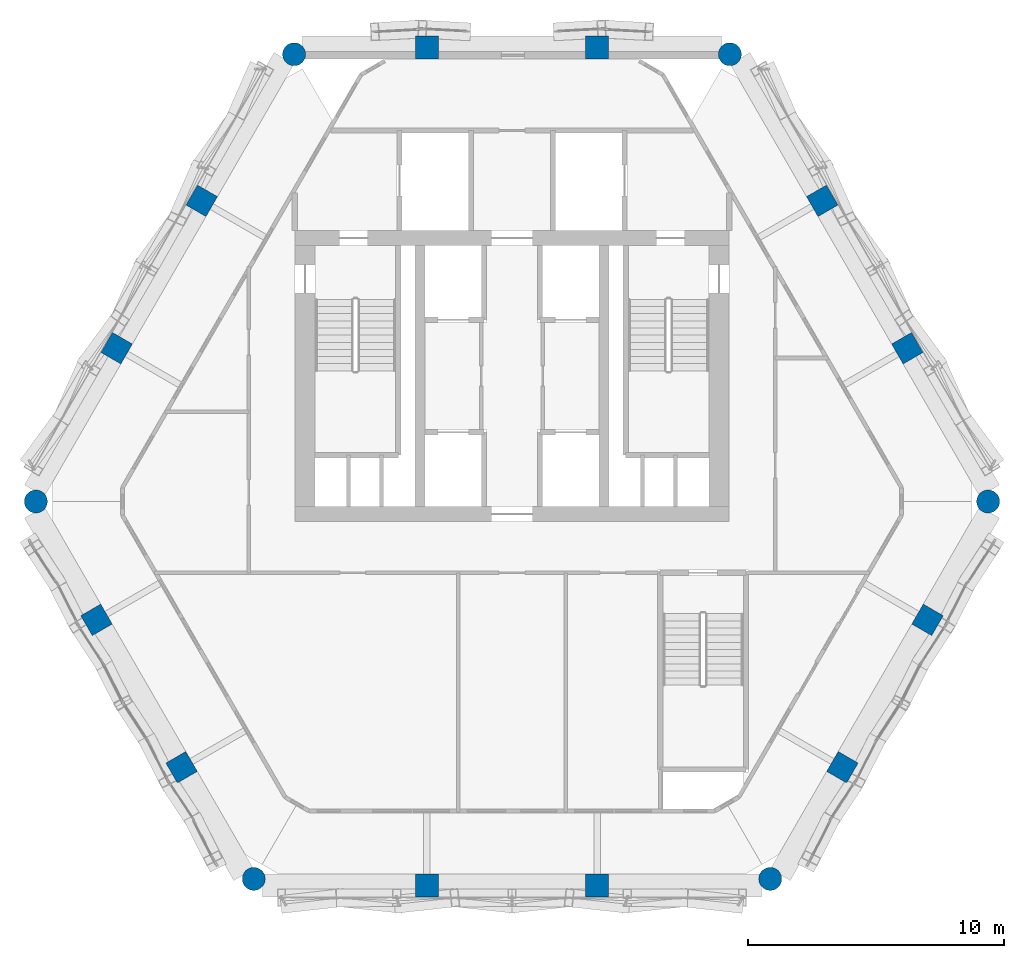
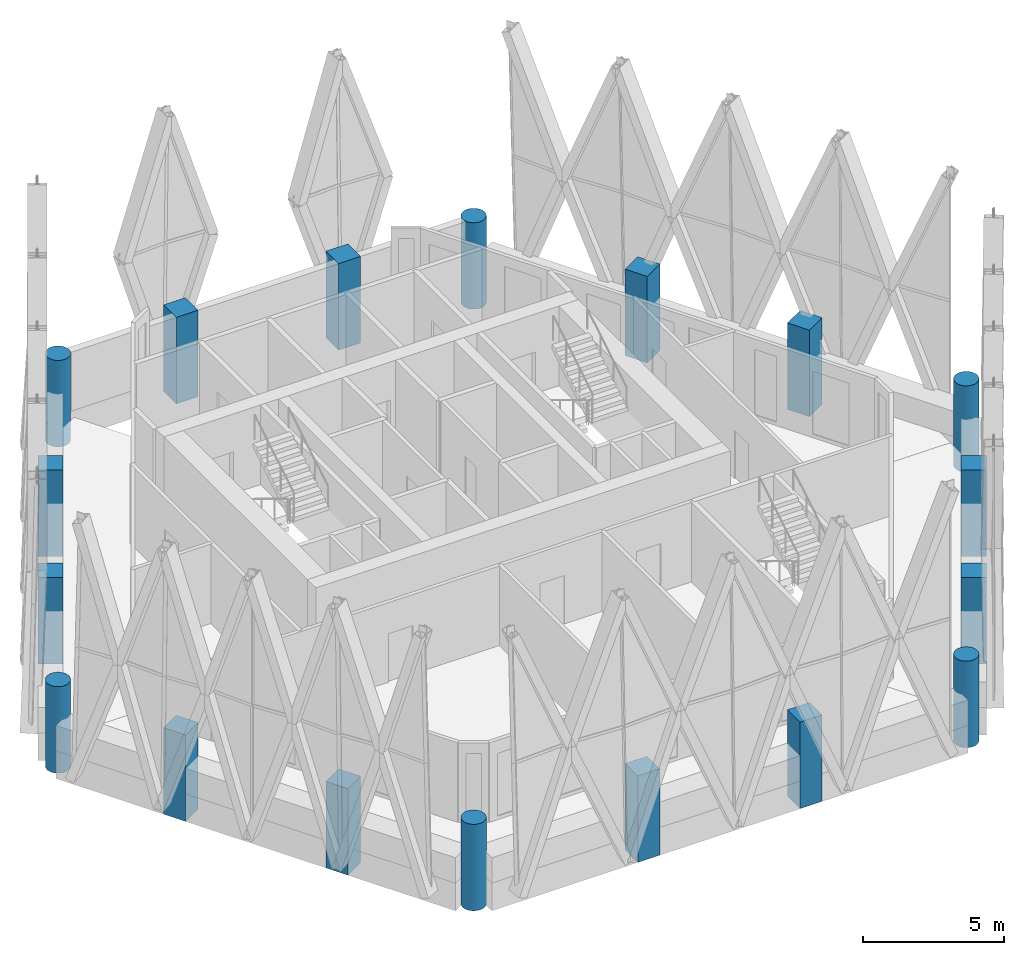
# One storey, part 1 of 21: 18 columns.
"""IFC4 building model written with IfcOpenShell, lengths in metres."""

from ifc_helpers import new_model, si_unit, direction, frame, origin, origin_2d, place, context, subcontext, project, spatial, rectangle, circle, extrude, material, material_profile, profile_set, type_object, element, save


model = new_model("IFC4")

# Units and contexts
model_context = context("Model", 3, precision=1e-05, world=origin(), true_north=direction((0.0, 1.0)))
body_context = subcontext(model_context, "Body", "Model", "MODEL_VIEW")
ifc_project = project(units=[si_unit("LENGTHUNIT", "METRE"), si_unit("AREAUNIT", "SQUARE_METRE"), si_unit("VOLUMEUNIT", "CUBIC_METRE"), si_unit("PLANEANGLEUNIT", "RADIAN"), si_unit("MASSUNIT", "GRAM", prefix="KILO")], contexts=[model_context])

# Site, building, storey
site_placement = place(None, origin())
site = spatial("IfcSite", under=ifc_project, at=site_placement, CompositionType="ELEMENT")
building_placement = place(site_placement, origin())
building = spatial("IfcBuilding", under=site, at=building_placement, Name="Ostrander Bayou Hotel Tower", CompositionType="ELEMENT")
storey_placement = place(building_placement, frame((0.0, 0.0, 256.25)))
storey = spatial("IfcBuildingStorey", under=building, at=storey_placement, Name="L63", CompositionType="ELEMENT", Elevation=256.25)

# Columns
ifc_material_1 = material(Name="Concrete f'c 60 MPa", Category="concrete")
ifc_material_profile_1 = material_profile(ifc_material_1, circle(Radius=0.449951171875, at=origin_2d()))
ifc_profile_set_1 = profile_set([ifc_material_profile_1], Name="Concrete f'c 60 MPa")
column_type_1 = type_object("IfcColumnType", Name="C7 round column 900 mm f'c 60 MPa", PredefinedType="COLUMN", material=ifc_profile_set_1)
for number, where, z_axis, x_axis, name in (
    (1, (-8.525634765625, 16.588623046875, -1.199951171875), (0.0, 0.0, 1.0), (1.0, 0.0, 0.0), "C7 L63 K0"),
    (2, (-18.629150390625, -0.910888671875, -1.199951171875), (0.0, 0.0, 1.0), (1.0, 0.0, 0.0), "C7 L63 K1"),
    (3, (-10.103515625, -15.677734375, -1.199951171875), (0.0, 0.0, 1.0), (1.0, 0.0, 0.0), "C7 L63 K2"),
    (4, (10.103515625, -15.677734375, -1.199951171875), (0.0, 0.0, 1.0), (1.0, 0.0, 0.0), "C7 L63 K3"),
    (5, (18.629150390625, -0.910888671875, -1.199951171875), (0.0, 0.0, 1.0), (1.0, 0.0, 0.0), "C7 L63 K4"),
    (6, (8.525634765625, 16.588623046875, -1.199951171875), (0.0, 0.0, 1.0), (1.0, 0.0, 0.0), "C7 L63 K5"),
):
    element("IfcColumn", number, at=place(storey_placement, frame(where, z_axis=z_axis, x_axis=x_axis)), inside=storey, type_object=column_type_1, Name=name, PredefinedType="COLUMN", context=body_context, shape_type="SweptSolid", body=[
        extrude(circle(Radius=0.449951171875, at=origin_2d()), origin(), (0.0, 0.0, 1.0), 3.75),
    ])
ifc_material_2 = material(Name="Concrete f'c 60 MPa", Category="concrete")
ifc_material_profile_2 = material_profile(ifc_material_2, rectangle(XDim=0.89990234375, YDim=0.89990234375, at=origin_2d()))
ifc_profile_set_2 = profile_set([ifc_material_profile_2], Name="Concrete f'c 60 MPa")
column_type_2 = type_object("IfcColumnType", Name="C8 square column 900 x 900 mm f'c 60 MPa", PredefinedType="COLUMN", material=ifc_profile_set_2)
for number, where, z_axis, x_axis, name in (
    (7, (3.329345703125, 16.85009765625, -1.199951171875), (0.0, 0.0, 1.0), (1.0, 0.0, 0.0), "C8 L63 N1"),
    (8, (-3.329345703125, 16.85009765625, -1.199951171875), (0.0, 0.0, 1.0), (1.0, 0.0, 0.0), "C8 L63 N2"),
    (9, (-12.138916015625, 10.852783203125, -1.199951171875), (0.0, 0.0, 1.0), (0.5, 0.866025403784, 0.0), "C8 L63 NW1"),
    (10, (-15.46826171875, 5.086181640625, -1.199951171875), (0.0, 0.0, 1.0), (0.5, 0.866025403784, 0.0), "C8 L63 NW2"),
    (11, (-16.257080078125, -5.541748046875, -1.199951171875), (0.0, 0.0, 1.0), (-0.5, 0.866025403784, 0.0), "C8 L63 SW1"),
    (12, (-12.927734375, -11.308349609375, -1.199951171875), (0.0, 0.0, 1.0), (-0.5, 0.866025403784, 0.0), "C8 L63 SW2"),
    (13, (-3.329345703125, -15.93896484375, -1.199951171875), (0.0, 0.0, 1.0), (-1.0, 0.0, 0.0), "C8 L63 S1"),
    (14, (3.329345703125, -15.93896484375, -1.199951171875), (0.0, 0.0, 1.0), (-1.0, 0.0, 0.0), "C8 L63 S2"),
    (15, (12.927734375, -11.308349609375, -1.199951171875), (0.0, 0.0, 1.0), (-0.5, -0.866025403784, 0.0), "C8 L63 SE1"),
    (16, (16.257080078125, -5.541748046875, -1.199951171875), (0.0, 0.0, 1.0), (-0.5, -0.866025403784, 0.0), "C8 L63 SE2"),
    (17, (15.46826171875, 5.086181640625, -1.199951171875), (0.0, 0.0, 1.0), (0.5, -0.866025403784, 0.0), "C8 L63 NE1"),
    (18, (12.138916015625, 10.852783203125, -1.199951171875), (0.0, 0.0, 1.0), (0.5, -0.866025403784, 0.0), "C8 L63 NE2"),
):
    element("IfcColumn", number, at=place(storey_placement, frame(where, z_axis=z_axis, x_axis=x_axis)), inside=storey, type_object=column_type_2, Name=name, PredefinedType="COLUMN", context=body_context, shape_type="SweptSolid", body=[
        extrude(rectangle(XDim=0.89990234375, YDim=0.89990234375, at=origin_2d()), origin(), (0.0, 0.0, 1.0), 3.75),
    ])

save(model, "model.ifc")
